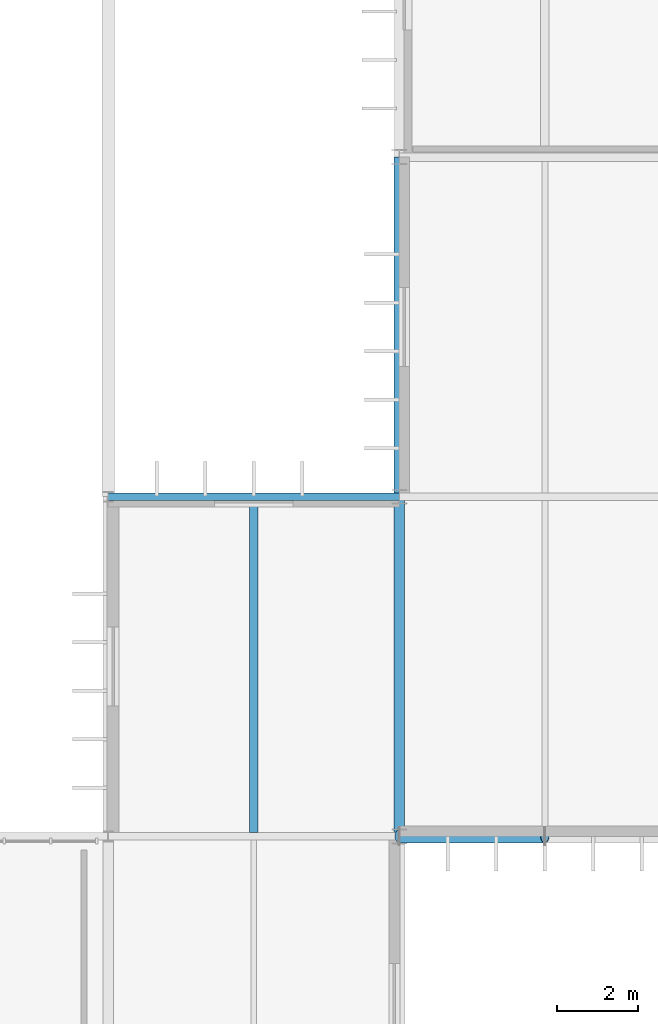
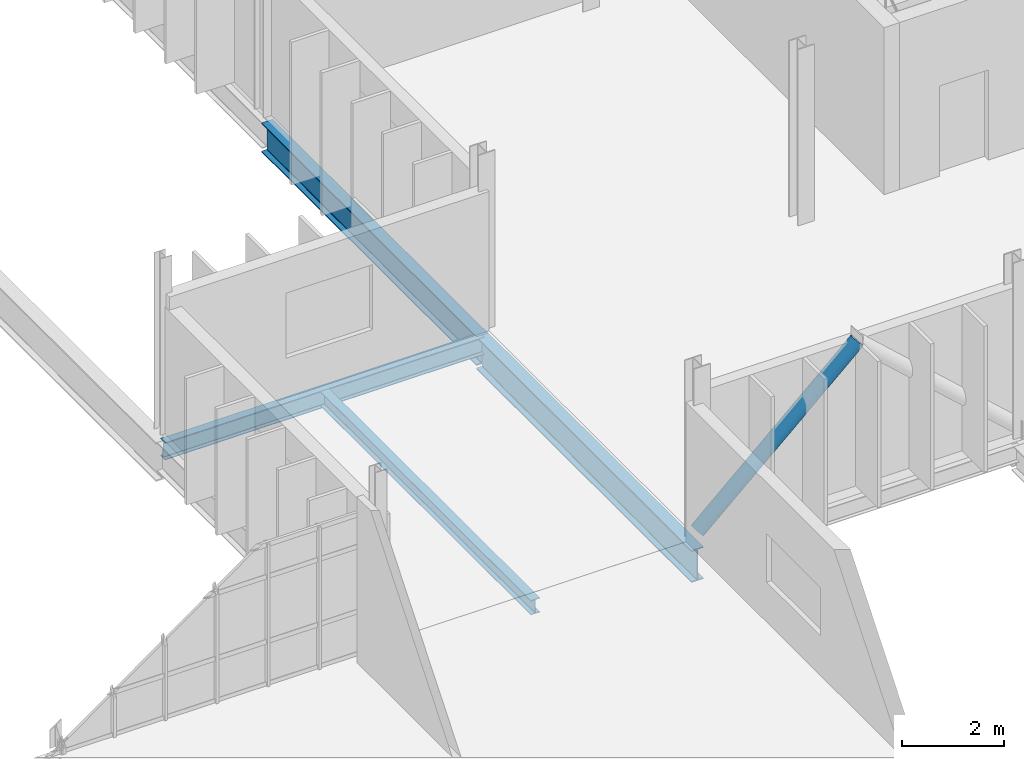
# One storey, part 37 of 119: 4 beams, 1 member.
"""IFC4 building model written with IfcOpenShell, lengths in metres."""

import ifcopenshell
import ifcopenshell.guid

model = None  # the IFC model being written
_history = None  # IfcOwnerHistory: only IFC2X3 demands one
_inside = {}  # id of a spatial element -> (the spatial element, [elements in it])
_under = {}  # id of a project, library or spatial element -> (it, [spatial elements below it])
_declared = {}  # id of a project -> (the project, [libraries it declares])
_typed = {}  # id of a type object -> (the type object, [elements of that type])
_made_of = {}  # id of a material, layer set ... -> (it, [elements and type objects made of it])


def new_model(schema):
    """Start an empty IFC model of exactly this schema.

    Asked for "IFC4X3", IfcOpenShell would pick the latest addendum, in which some entities
    have other attributes; the version numbers below select the first issue.
    IFC2X3 requires an IfcOwnerHistory on every rooted entity: one is made here for all.
    """
    global model, _history
    if schema == "IFC4X3":
        model = ifcopenshell.file(schema_version=(4, 3, 0, 0))
    else:
        model = ifcopenshell.file(schema=schema)
    _inside.clear()
    _under.clear()
    _declared.clear()
    _typed.clear()
    _made_of.clear()
    _history = None
    if model.schema == "IFC2X3":
        org = make("IfcOrganization", Name="unknown")
        user = make(
            "IfcPersonAndOrganization",
            ThePerson=make("IfcPerson", FamilyName="unknown"),
            TheOrganization=org,
        )
        app = make(
            "IfcApplication",
            ApplicationDeveloper=org,
            Version="unknown",
            ApplicationFullName="unknown",
            ApplicationIdentifier="unknown",
        )
        _history = make(
            "IfcOwnerHistory",
            OwningUser=user,
            OwningApplication=app,
            ChangeAction="ADDED",
            CreationDate=0,
        )
    return model


def make(cls, **values):
    """One entity of the class cls with the attributes given. An attribute that is None is left unset."""
    return model.create_entity(
        cls, **{name: value for name, value in values.items() if value is not None}
    )


def rooted(cls, **values):
    """An entity with a GlobalId (a new one), such as an element, a storey or a relation."""
    return make(cls, GlobalId=ifcopenshell.guid.new(), OwnerHistory=_history, **values)


def si_unit(unit_type, name, prefix=None):
    """IfcSIUnit, for example si_unit("LENGTHUNIT", "METRE", prefix="MILLI")."""
    return make("IfcSIUnit", UnitType=unit_type, Prefix=prefix, Name=name)


def assignment(units):
    """IfcUnitAssignment: the units of a project."""
    return None if units is None else make("IfcUnitAssignment", Units=units)


def point(xyz):
    """IfcCartesianPoint."""
    return None if xyz is None else make("IfcCartesianPoint", Coordinates=xyz)


def direction(xyz):
    """IfcDirection."""
    return None if xyz is None else make("IfcDirection", DirectionRatios=xyz)


def frame(location, z_axis=None, x_axis=None):
    """IfcAxis2Placement3D, a coordinate frame: its origin and axes. An axis left out is left unset."""
    return make(
        "IfcAxis2Placement3D",
        Location=point(location),
        Axis=direction(z_axis),
        RefDirection=direction(x_axis),
    )


def frame_2d(location, x_axis=None):
    """IfcAxis2Placement2D, a coordinate frame in the plane: its origin and x axis."""
    return make(
        "IfcAxis2Placement2D", Location=point(location), RefDirection=direction(x_axis)
    )


def origin():
    """The frame at (0, 0, 0) with its axes left unset."""
    return frame((0.0, 0.0, 0.0))


def origin_2d():
    """The frame at (0, 0) in the plane with its x axis left unset."""
    return frame_2d((0.0, 0.0))


def place(relative_to, where):
    """IfcLocalPlacement: puts the frame where relative to a parent placement (None: the world)."""
    return make(
        "IfcLocalPlacement", PlacementRelTo=relative_to, RelativePlacement=where
    )


def context(
    kind, dimensions, precision=None, world=None, true_north=None, identifier=None
):
    """IfcGeometricRepresentationContext, for example the 3D "Model" context."""
    return make(
        "IfcGeometricRepresentationContext",
        ContextIdentifier=identifier,
        ContextType=kind,
        CoordinateSpaceDimension=dimensions,
        Precision=precision,
        WorldCoordinateSystem=world,
        TrueNorth=true_north,
    )


def subcontext(parent, identifier, kind, view, scale=None):
    """IfcGeometricRepresentationSubContext, for example "Body" below "Model"."""
    return make(
        "IfcGeometricRepresentationSubContext",
        ContextIdentifier=identifier,
        ContextType=kind,
        ParentContext=parent,
        TargetScale=scale,
        TargetView=view,
    )


def project(units=None, contexts=None):
    """IfcProject with its units and contexts."""
    return rooted(
        "IfcProject",
        Name="project",
        RepresentationContexts=contexts,
        UnitsInContext=assignment(units),
    )


def spatial(cls, under=None, at=None, **own):
    """A site, building, storey or space (cls), placed at a placement, below another one or the project."""
    s = rooted(cls, ObjectPlacement=at, **own)
    if under is not None:
        _under.setdefault(under.id(), (under, []))[1].append(s)
    return s


def profile(cls, at=None, kind="AREA", **sizes):
    """A parametric profile (cls). Its sizes go by their IFC names, for example OverallWidth=200.0."""
    return make(cls, ProfileType=kind, Position=at, **sizes)


def hollow_circle(**sizes):
    """IfcCircleHollowProfileDef."""
    return profile("IfcCircleHollowProfileDef", **sizes)


def i_section(**sizes):
    """IfcIShapeProfileDef."""
    return profile("IfcIShapeProfileDef", **sizes)


def extrude(swept, where, along, depth):
    """IfcExtrudedAreaSolid: the profile swept, set in the frame where, extruded along a direction by depth."""
    return make(
        "IfcExtrudedAreaSolid",
        SweptArea=swept,
        Position=where,
        ExtrudedDirection=direction(along),
        Depth=depth,
    )


def shape(context_of_items, identifier, shape_type, items):
    """IfcShapeRepresentation: the items that make up one representation, for example the "Body"."""
    return make(
        "IfcShapeRepresentation",
        ContextOfItems=context_of_items,
        RepresentationIdentifier=identifier,
        RepresentationType=shape_type,
        Items=items,
    )


def material(Name=None, Category=None):
    """IfcMaterial."""
    return make("IfcMaterial", Name=Name, Category=Category)


def material_profile(
    of_material, cross_section, Name=None, Category=None, Priority=None
):
    """IfcMaterialProfile: a cross section and its material."""
    return make(
        "IfcMaterialProfile",
        Name=Name,
        Material=of_material,
        Profile=cross_section,
        Priority=Priority,
        Category=Category,
    )


def profile_set(profiles, Name=None, composite=None):
    """IfcMaterialProfileSet."""
    return make(
        "IfcMaterialProfileSet",
        Name=Name,
        MaterialProfiles=profiles,
        CompositeProfile=composite,
    )


def made_of(thing, what):
    """Note that an element or type object is made of a material, layer set ...; save() writes the relation."""
    if what is not None:
        _made_of.setdefault(what.id(), (what, []))[1].append(thing)
    return thing


def type_object(cls, material=None, **own):
    """A type object (cls), such as IfcWallType, which elements share."""
    return made_of(rooted(cls, **own), material)


def element(
    cls,
    number,
    at=None,
    inside=None,
    cuts=None,
    type_object=None,
    material=None,
    context=None,
    identifier="Body",
    shape_type=None,
    held_by="IfcProductDefinitionShape",
    body=None,
    shapes=None,
    **own,
):
    """One element of the class cls, such as IfcWall. Its Tag is "e" and its number.

    at: its placement. inside: the storey or other place that contains it. cuts: it is an
    opening in that element (IfcRelVoidsElement). A single representation is given by context,
    identifier, shape_type and body (its items); several are given by shapes. held_by: the class
    of the entity that holds the representations. save() writes the other relations.
    """
    e = rooted(cls, Tag="e%d" % number, ObjectPlacement=at, **own)
    if body is not None:
        shapes = [shape(context, identifier, shape_type, body)]
    if shapes is not None:
        e.Representation = make(held_by, Representations=shapes)
    if inside is not None:
        _inside.setdefault(inside.id(), (inside, []))[1].append(e)
    if cuts is not None:
        rooted(
            "IfcRelVoidsElement", RelatingBuildingElement=cuts, RelatedOpeningElement=e
        )
    if type_object is not None:
        _typed.setdefault(type_object.id(), (type_object, []))[1].append(e)
    return made_of(e, material)


def aggregate(whole, parts):
    """IfcRelAggregates: a whole, such as a stair, and the parts it consists of."""
    return rooted("IfcRelAggregates", RelatingObject=whole, RelatedObjects=parts)


def save(model, path):
    """Write the relations noted so far, then the file.

    IfcRelAggregates (storeys below a building ...), IfcRelContainedInSpatialStructure (elements
    in a storey), IfcRelDefinesByType, IfcRelAssociatesMaterial and IfcRelDeclares: one each for
    every whole, place, type object, material and project.
    """
    for whole, parts in _under.values():
        aggregate(whole, parts)
    for where, things in _inside.values():
        rooted(
            "IfcRelContainedInSpatialStructure",
            RelatedElements=things,
            RelatingStructure=where,
        )
    for kind, things in _typed.values():
        rooted("IfcRelDefinesByType", RelatedObjects=things, RelatingType=kind)
    for what, things in _made_of.values():
        rooted("IfcRelAssociatesMaterial", RelatedObjects=things, RelatingMaterial=what)
    for by, libraries in _declared.values():
        rooted("IfcRelDeclares", RelatingContext=by, RelatedDefinitions=libraries)
    model.write(path)


model = new_model("IFC4")

# Units and contexts
model_context = context("Model", 3, precision=1e-05, world=origin(), true_north=direction((0.0, 1.0)))
body_context = subcontext(model_context, "Body", "Model", "MODEL_VIEW")
ifc_project = project(units=[si_unit("LENGTHUNIT", "METRE"), si_unit("AREAUNIT", "SQUARE_METRE"), si_unit("VOLUMEUNIT", "CUBIC_METRE"), si_unit("PLANEANGLEUNIT", "RADIAN"), si_unit("MASSUNIT", "GRAM", prefix="KILO")], contexts=[model_context])

# Site, building, storey
site_placement = place(None, origin())
site = spatial("IfcSite", under=ifc_project, at=site_placement, CompositionType="ELEMENT")
building_placement = place(site_placement, origin())
building = spatial("IfcBuilding", under=site, at=building_placement, Name="Qelthora Terrace Specialist Clinic", CompositionType="ELEMENT")
storey_placement = place(building_placement, frame((0.0, 0.0, 4.800048828125)))
storey = spatial("IfcBuildingStorey", under=building, at=storey_placement, Name="L01", CompositionType="ELEMENT", Elevation=4.800048828125)

# Beams
ifc_material = material(Name="Steel S355", Category="steel")
ifc_material_profile_1 = material_profile(ifc_material, i_section(OverallWidth=0.179931640625, OverallDepth=0.4130859375, WebThickness=0.009765625, FlangeThickness=0.01611328125, FilletRadius=0.011962890625, at=origin_2d()), Name="W410X75")
ifc_profile_set_1 = profile_set([ifc_material_profile_1], Name="Steel S355")
beam_type_1 = type_object("IfcBeamType", Name="BM-W410X75", PredefinedType="BEAM", material=ifc_profile_set_1)
beam_1_placement = place(storey_placement, frame((86.39990234375, 42.0, -0.45654296875), z_axis=(1.0, 0.0, 0.0), x_axis=(0.0, 1.0, 0.0)))
element("IfcBeam", 1, at=beam_1_placement, inside=storey, type_object=beam_type_1, Name="Girder BMX-L01-0221", PredefinedType="BEAM", context=body_context, shape_type="SweptSolid", body=[
    extrude(i_section(OverallWidth=0.179931640625, OverallDepth=0.4130859375, WebThickness=0.009765625, FlangeThickness=0.01611328125, FilletRadius=0.011962890625, at=origin_2d()), origin(), (0.0, 0.0, 1.0), 7.2001953125),
])
ifc_material_profile_2 = material_profile(ifc_material, i_section(OverallWidth=0.256103515625, OverallDepth=0.693115234375, WebThickness=0.014404296875, FlangeThickness=0.023681640625, FilletRadius=0.01806640625, at=origin_2d()), Name="W690X170")
ifc_profile_set_2 = profile_set([ifc_material_profile_2], Name="Steel S355")
beam_type_2 = type_object("IfcBeamType", Name="BM-W690X170", PredefinedType="BEAM", material=ifc_profile_set_2)
beam_2_placement = place(storey_placement, frame((93.60009765625, 42.0, -0.596435546875), z_axis=(0.0, 1.0, 0.0), x_axis=(-1.0, 0.0, 0.0)))
element("IfcBeam", 2, at=beam_2_placement, inside=storey, type_object=beam_type_2, Name="Girder BMY-L01-0453", PredefinedType="BEAM", context=body_context, shape_type="SweptSolid", body=[
    extrude(i_section(OverallWidth=0.256103515625, OverallDepth=0.693115234375, WebThickness=0.014404296875, FlangeThickness=0.023681640625, FilletRadius=0.01806640625, at=origin_2d()), origin(), (0.0, 0.0, 1.0), 8.39990234375),
])
ifc_material_profile_3 = material_profile(ifc_material, i_section(OverallWidth=0.26806640625, OverallDepth=0.77001953125, WebThickness=0.015625, FlangeThickness=0.025390625, FilletRadius=0.01904296875, at=origin_2d()), Name="W760X196")
ifc_profile_set_3 = profile_set([ifc_material_profile_3], Name="Steel S355")
beam_type_3 = type_object("IfcBeamType", Name="BM-W760X196", PredefinedType="BEAM", material=ifc_profile_set_3)
beam_3_placement = place(storey_placement, frame((93.60009765625, 33.60009765625, -0.635009765625), z_axis=(0.0, 1.0, 0.0), x_axis=(-1.0, 0.0, 0.0)))
element("IfcBeam", 3, at=beam_3_placement, inside=storey, type_object=beam_type_3, Name="Girder BMY-L01-0452", PredefinedType="BEAM", context=body_context, shape_type="SweptSolid", body=[
    extrude(i_section(OverallWidth=0.26806640625, OverallDepth=0.77001953125, WebThickness=0.015625, FlangeThickness=0.025390625, FilletRadius=0.01904296875, at=origin_2d()), origin(), (0.0, 0.0, 1.0), 8.39990234375),
])
ifc_material_profile_4 = material_profile(ifc_material, i_section(OverallWidth=0.202880859375, OverallDepth=0.346923828125, WebThickness=0.0078125, FlangeThickness=0.013427734375, FilletRadius=0.010986328125, at=origin_2d()), Name="W360X64")
ifc_profile_set_4 = profile_set([ifc_material_profile_4], Name="Steel S355")
beam_type_4 = type_object("IfcBeamType", Name="JST-W360X64", PredefinedType="JOIST", material=ifc_profile_set_4)
beam_4_placement = place(storey_placement, frame((90.0, 33.68994140625, -0.423583984375), z_axis=(0.0, 1.0, 0.0), x_axis=(-1.0, 0.0, 0.0)))
element("IfcBeam", 4, at=beam_4_placement, inside=storey, type_object=beam_type_4, Name="Composite floor joist JST-L01-0103", PredefinedType="JOIST", context=body_context, shape_type="SweptSolid", body=[
    extrude(i_section(OverallWidth=0.202880859375, OverallDepth=0.346923828125, WebThickness=0.0078125, FlangeThickness=0.013427734375, FilletRadius=0.010986328125, at=origin_2d()), origin(), (0.0, 0.0, 1.0), 8.219970703125),
])

# Member
ifc_material_profile_5 = material_profile(ifc_material, hollow_circle(Radius=0.16162109375, WallThickness=0.011962890625, at=origin_2d()), Name="CHS323X12")
ifc_profile_set_5 = profile_set([ifc_material_profile_5], Name="Steel S355")
member_type = type_object("IfcMemberType", Name="MEM-BRACE-CHS323", PredefinedType="BRACE", material=ifc_profile_set_5)
member_placement = place(storey_placement, frame((93.60009765625, 33.60009765625, 0.179931640625), z_axis=(0.740203511447, 0.0, 0.672382898089), x_axis=(0.0, 1.0, 0.0)))
element("IfcMember", 5, at=member_placement, inside=storey, type_object=member_type, Name="Concentric seismic chevron brace B8-L01A", PredefinedType="BRACE", context=body_context, shape_type="SweptSolid", body=[
    extrude(hollow_circle(Radius=0.16162109375, WallThickness=0.011962890625, at=origin_2d()), origin(), (0.0, 0.0, 1.0), 4.86328125),
])

save(model, "model.ifc")
